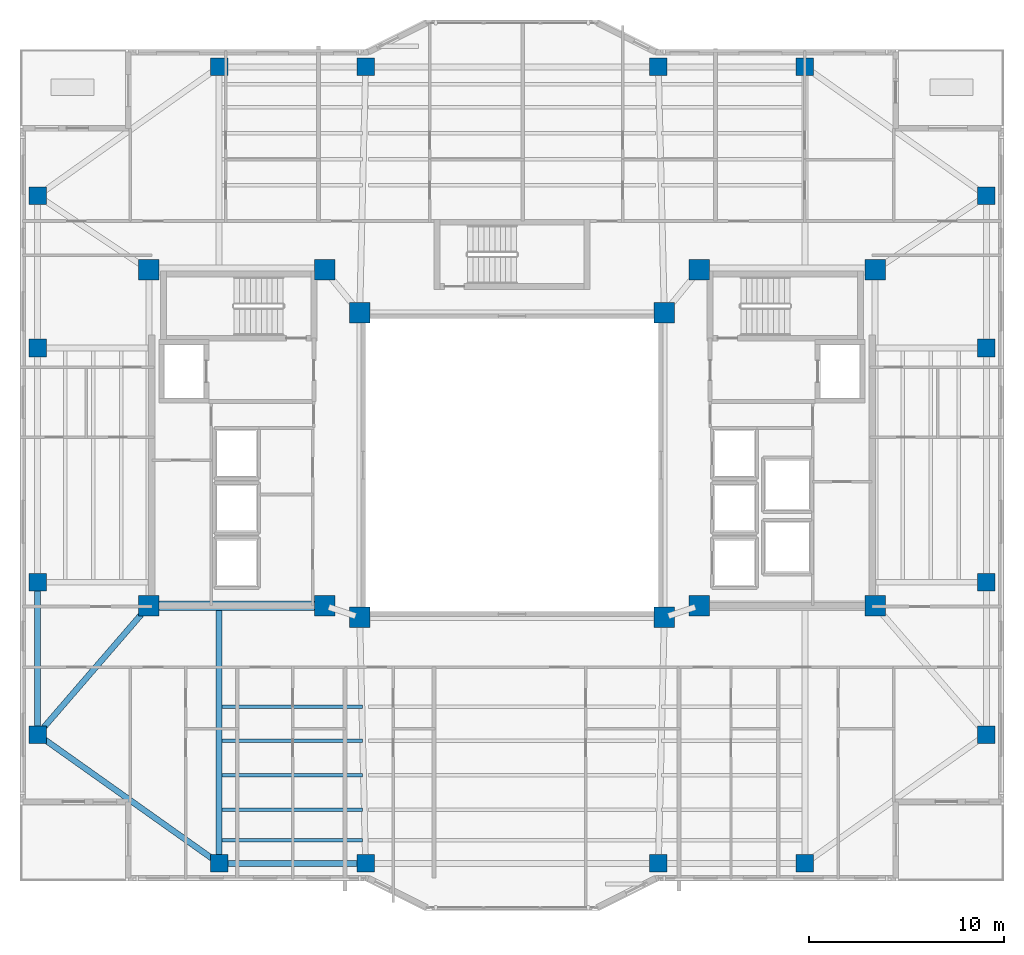
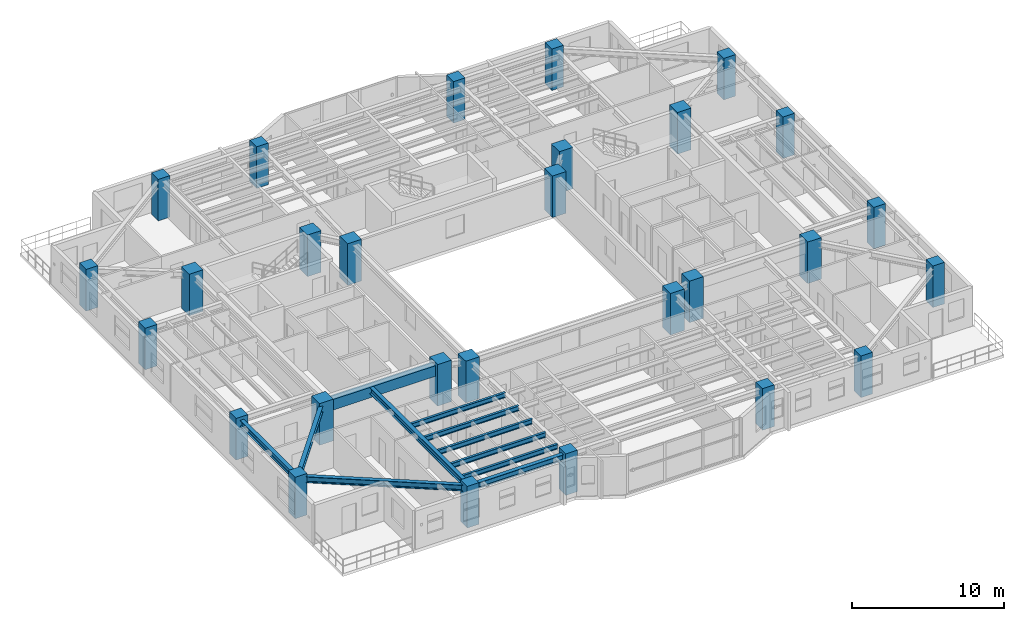
# One storey, part 1 of 17: 28 columns, 11 beams.
"""IFC4 building model written with IfcOpenShell, lengths in metres."""

import ifcopenshell
import ifcopenshell.guid

model = None  # the IFC model being written
_history = None  # IfcOwnerHistory: only IFC2X3 demands one
_inside = {}  # id of a spatial element -> (the spatial element, [elements in it])
_under = {}  # id of a project, library or spatial element -> (it, [spatial elements below it])
_declared = {}  # id of a project -> (the project, [libraries it declares])
_typed = {}  # id of a type object -> (the type object, [elements of that type])
_made_of = {}  # id of a material, layer set ... -> (it, [elements and type objects made of it])


def new_model(schema):
    """Start an empty IFC model of exactly this schema.

    Asked for "IFC4X3", IfcOpenShell would pick the latest addendum, in which some entities
    have other attributes; the version numbers below select the first issue.
    IFC2X3 requires an IfcOwnerHistory on every rooted entity: one is made here for all.
    """
    global model, _history
    if schema == "IFC4X3":
        model = ifcopenshell.file(schema_version=(4, 3, 0, 0))
    else:
        model = ifcopenshell.file(schema=schema)
    _inside.clear()
    _under.clear()
    _declared.clear()
    _typed.clear()
    _made_of.clear()
    _history = None
    if model.schema == "IFC2X3":
        org = make("IfcOrganization", Name="unknown")
        user = make(
            "IfcPersonAndOrganization",
            ThePerson=make("IfcPerson", FamilyName="unknown"),
            TheOrganization=org,
        )
        app = make(
            "IfcApplication",
            ApplicationDeveloper=org,
            Version="unknown",
            ApplicationFullName="unknown",
            ApplicationIdentifier="unknown",
        )
        _history = make(
            "IfcOwnerHistory",
            OwningUser=user,
            OwningApplication=app,
            ChangeAction="ADDED",
            CreationDate=0,
        )
    return model


def make(cls, **values):
    """One entity of the class cls with the attributes given. An attribute that is None is left unset."""
    return model.create_entity(
        cls, **{name: value for name, value in values.items() if value is not None}
    )


def rooted(cls, **values):
    """An entity with a GlobalId (a new one), such as an element, a storey or a relation."""
    return make(cls, GlobalId=ifcopenshell.guid.new(), OwnerHistory=_history, **values)


def si_unit(unit_type, name, prefix=None):
    """IfcSIUnit, for example si_unit("LENGTHUNIT", "METRE", prefix="MILLI")."""
    return make("IfcSIUnit", UnitType=unit_type, Prefix=prefix, Name=name)


def assignment(units):
    """IfcUnitAssignment: the units of a project."""
    return None if units is None else make("IfcUnitAssignment", Units=units)


def point(xyz):
    """IfcCartesianPoint."""
    return None if xyz is None else make("IfcCartesianPoint", Coordinates=xyz)


def direction(xyz):
    """IfcDirection."""
    return None if xyz is None else make("IfcDirection", DirectionRatios=xyz)


def frame(location, z_axis=None, x_axis=None):
    """IfcAxis2Placement3D, a coordinate frame: its origin and axes. An axis left out is left unset."""
    return make(
        "IfcAxis2Placement3D",
        Location=point(location),
        Axis=direction(z_axis),
        RefDirection=direction(x_axis),
    )


def frame_2d(location, x_axis=None):
    """IfcAxis2Placement2D, a coordinate frame in the plane: its origin and x axis."""
    return make(
        "IfcAxis2Placement2D", Location=point(location), RefDirection=direction(x_axis)
    )


def origin():
    """The frame at (0, 0, 0) with its axes left unset."""
    return frame((0.0, 0.0, 0.0))


def origin_2d():
    """The frame at (0, 0) in the plane with its x axis left unset."""
    return frame_2d((0.0, 0.0))


def place(relative_to, where):
    """IfcLocalPlacement: puts the frame where relative to a parent placement (None: the world)."""
    return make(
        "IfcLocalPlacement", PlacementRelTo=relative_to, RelativePlacement=where
    )


def context(
    kind, dimensions, precision=None, world=None, true_north=None, identifier=None
):
    """IfcGeometricRepresentationContext, for example the 3D "Model" context."""
    return make(
        "IfcGeometricRepresentationContext",
        ContextIdentifier=identifier,
        ContextType=kind,
        CoordinateSpaceDimension=dimensions,
        Precision=precision,
        WorldCoordinateSystem=world,
        TrueNorth=true_north,
    )


def subcontext(parent, identifier, kind, view, scale=None):
    """IfcGeometricRepresentationSubContext, for example "Body" below "Model"."""
    return make(
        "IfcGeometricRepresentationSubContext",
        ContextIdentifier=identifier,
        ContextType=kind,
        ParentContext=parent,
        TargetScale=scale,
        TargetView=view,
    )


def project(units=None, contexts=None):
    """IfcProject with its units and contexts."""
    return rooted(
        "IfcProject",
        Name="project",
        RepresentationContexts=contexts,
        UnitsInContext=assignment(units),
    )


def spatial(cls, under=None, at=None, **own):
    """A site, building, storey or space (cls), placed at a placement, below another one or the project."""
    s = rooted(cls, ObjectPlacement=at, **own)
    if under is not None:
        _under.setdefault(under.id(), (under, []))[1].append(s)
    return s


def profile(cls, at=None, kind="AREA", **sizes):
    """A parametric profile (cls). Its sizes go by their IFC names, for example OverallWidth=200.0."""
    return make(cls, ProfileType=kind, Position=at, **sizes)


def rectangle(**sizes):
    """IfcRectangleProfileDef."""
    return profile("IfcRectangleProfileDef", **sizes)


def i_section(**sizes):
    """IfcIShapeProfileDef."""
    return profile("IfcIShapeProfileDef", **sizes)


def extrude(swept, where, along, depth):
    """IfcExtrudedAreaSolid: the profile swept, set in the frame where, extruded along a direction by depth."""
    return make(
        "IfcExtrudedAreaSolid",
        SweptArea=swept,
        Position=where,
        ExtrudedDirection=direction(along),
        Depth=depth,
    )


def shape(context_of_items, identifier, shape_type, items):
    """IfcShapeRepresentation: the items that make up one representation, for example the "Body"."""
    return make(
        "IfcShapeRepresentation",
        ContextOfItems=context_of_items,
        RepresentationIdentifier=identifier,
        RepresentationType=shape_type,
        Items=items,
    )


def material(Name=None, Category=None):
    """IfcMaterial."""
    return make("IfcMaterial", Name=Name, Category=Category)


def material_profile(
    of_material, cross_section, Name=None, Category=None, Priority=None
):
    """IfcMaterialProfile: a cross section and its material."""
    return make(
        "IfcMaterialProfile",
        Name=Name,
        Material=of_material,
        Profile=cross_section,
        Priority=Priority,
        Category=Category,
    )


def profile_set(profiles, Name=None, composite=None):
    """IfcMaterialProfileSet."""
    return make(
        "IfcMaterialProfileSet",
        Name=Name,
        MaterialProfiles=profiles,
        CompositeProfile=composite,
    )


def made_of(thing, what):
    """Note that an element or type object is made of a material, layer set ...; save() writes the relation."""
    if what is not None:
        _made_of.setdefault(what.id(), (what, []))[1].append(thing)
    return thing


def type_object(cls, material=None, **own):
    """A type object (cls), such as IfcWallType, which elements share."""
    return made_of(rooted(cls, **own), material)


def element(
    cls,
    number,
    at=None,
    inside=None,
    cuts=None,
    type_object=None,
    material=None,
    context=None,
    identifier="Body",
    shape_type=None,
    held_by="IfcProductDefinitionShape",
    body=None,
    shapes=None,
    **own,
):
    """One element of the class cls, such as IfcWall. Its Tag is "e" and its number.

    at: its placement. inside: the storey or other place that contains it. cuts: it is an
    opening in that element (IfcRelVoidsElement). A single representation is given by context,
    identifier, shape_type and body (its items); several are given by shapes. held_by: the class
    of the entity that holds the representations. save() writes the other relations.
    """
    e = rooted(cls, Tag="e%d" % number, ObjectPlacement=at, **own)
    if body is not None:
        shapes = [shape(context, identifier, shape_type, body)]
    if shapes is not None:
        e.Representation = make(held_by, Representations=shapes)
    if inside is not None:
        _inside.setdefault(inside.id(), (inside, []))[1].append(e)
    if cuts is not None:
        rooted(
            "IfcRelVoidsElement", RelatingBuildingElement=cuts, RelatedOpeningElement=e
        )
    if type_object is not None:
        _typed.setdefault(type_object.id(), (type_object, []))[1].append(e)
    return made_of(e, material)


def aggregate(whole, parts):
    """IfcRelAggregates: a whole, such as a stair, and the parts it consists of."""
    return rooted("IfcRelAggregates", RelatingObject=whole, RelatedObjects=parts)


def save(model, path):
    """Write the relations noted so far, then the file.

    IfcRelAggregates (storeys below a building ...), IfcRelContainedInSpatialStructure (elements
    in a storey), IfcRelDefinesByType, IfcRelAssociatesMaterial and IfcRelDeclares: one each for
    every whole, place, type object, material and project.
    """
    for whole, parts in _under.values():
        aggregate(whole, parts)
    for where, things in _inside.values():
        rooted(
            "IfcRelContainedInSpatialStructure",
            RelatedElements=things,
            RelatingStructure=where,
        )
    for kind, things in _typed.values():
        rooted("IfcRelDefinesByType", RelatedObjects=things, RelatingType=kind)
    for what, things in _made_of.values():
        rooted("IfcRelAssociatesMaterial", RelatedObjects=things, RelatingMaterial=what)
    for by, libraries in _declared.values():
        rooted("IfcRelDeclares", RelatingContext=by, RelatedDefinitions=libraries)
    model.write(path)


model = new_model("IFC4")

# Units and contexts
model_context = context("Model", 3, precision=1e-05, world=origin(), true_north=direction((0.0, 1.0)))
body_context = subcontext(model_context, "Body", "Model", "MODEL_VIEW")
ifc_project = project(units=[si_unit("LENGTHUNIT", "METRE"), si_unit("AREAUNIT", "SQUARE_METRE"), si_unit("VOLUMEUNIT", "CUBIC_METRE"), si_unit("PLANEANGLEUNIT", "RADIAN"), si_unit("MASSUNIT", "GRAM", prefix="KILO")], contexts=[model_context])

# Site, building, storey
site_placement = place(None, origin())
site = spatial("IfcSite", under=ifc_project, at=site_placement, CompositionType="ELEMENT")
building_placement = place(site_placement, origin())
building = spatial("IfcBuilding", under=site, at=building_placement, Name="Tarnavaz Court Tower", CompositionType="ELEMENT")
storey_placement = place(building_placement, frame((0.0, 0.0, 132.60009765625)))
storey = spatial("IfcBuildingStorey", under=building, at=storey_placement, Name="L35", CompositionType="ELEMENT", Elevation=132.60009765625)

# Columns
ifc_material_1 = material(Name="Concrete C60/75", Category="concrete")
ifc_material_profile_1 = material_profile(ifc_material_1, rectangle(XDim=1.050048828125, YDim=1.050048828125, at=origin_2d()), Name="RC 1050X1050")
ifc_profile_set_1 = profile_set([ifc_material_profile_1], Name="Concrete C60/75")
column_type_1 = type_object("IfcColumnType", Name="CL-RC1050", PredefinedType="COLUMN", material=ifc_profile_set_1)
for number, where, z_axis, x_axis, name in (
    (1, (-7.800048828125, -7.800048828125, 0.0), (0.0, 0.0, 1.0), (1.0, 0.0, 0.0), "L35 Column IW-SW"),
    (2, (7.800048828125, -7.800048828125, 0.0), (0.0, 0.0, 1.0), (1.0, 0.0, 0.0), "L35 Column IW-SE"),
    (3, (-7.800048828125, 7.800048828125, 0.0), (0.0, 0.0, 1.0), (1.0, 0.0, 0.0), "L35 Column IW-NW"),
    (4, (7.800048828125, 7.800048828125, 0.0), (0.0, 0.0, 1.0), (1.0, 0.0, 0.0), "L35 Column IW-NE"),
    (5, (-9.60009765625, -7.199951171875, 0.0), (0.0, 0.0, 1.0), (1.0, 0.0, 0.0), "L35 Column CW-SI"),
    (6, (-9.60009765625, 10.0, 0.0), (0.0, 0.0, 1.0), (1.0, 0.0, 0.0), "L35 Column CW-NI"),
    (7, (9.60009765625, -7.199951171875, 0.0), (0.0, 0.0, 1.0), (1.0, 0.0, 0.0), "L35 Column CE-SI"),
    (8, (9.60009765625, 10.0, 0.0), (0.0, 0.0, 1.0), (1.0, 0.0, 0.0), "L35 Column CE-NI"),
    (9, (-18.60009765625, -7.199951171875, 0.0), (0.0, 0.0, 1.0), (1.0, 0.0, 0.0), "L35 Column CW-SO"),
    (10, (-18.60009765625, 10.0, 0.0), (0.0, 0.0, 1.0), (1.0, 0.0, 0.0), "L35 Column CW-NO"),
    (11, (18.60009765625, -7.199951171875, 0.0), (0.0, 0.0, 1.0), (1.0, 0.0, 0.0), "L35 Column CE-SO"),
    (12, (18.60009765625, 10.0, 0.0), (0.0, 0.0, 1.0), (1.0, 0.0, 0.0), "L35 Column CE-NO"),
):
    element("IfcColumn", number, at=place(storey_placement, frame(where, z_axis=z_axis, x_axis=x_axis)), inside=storey, type_object=column_type_1, Name=name, PredefinedType="COLUMN", context=body_context, shape_type="SweptSolid", body=[
        extrude(rectangle(XDim=1.050048828125, YDim=1.050048828125, at=origin_2d()), origin(), (0.0, 0.0, 1.0), 3.349853515625),
    ])
ifc_material_2 = material(Name="Concrete C50/60", Category="concrete")
ifc_material_profile_2 = material_profile(ifc_material_2, rectangle(XDim=0.89990234375, YDim=0.89990234375, at=origin_2d()), Name="RC 900X900")
ifc_profile_set_2 = profile_set([ifc_material_profile_2], Name="Concrete C50/60")
column_type_2 = type_object("IfcColumnType", Name="CL-RC900", PredefinedType="COLUMN", material=ifc_profile_set_2)
for number, where, z_axis, x_axis, name in (
    (13, (-15.0, 20.39990234375, 0.0), (0.0, 0.0, 1.0), (1.0, 0.0, 0.0), "L35 Column PN-1"),
    (14, (-7.5, 20.39990234375, 0.0), (0.0, 0.0, 1.0), (1.0, 0.0, 0.0), "L35 Column PN-2"),
    (15, (7.5, 20.39990234375, 0.0), (0.0, 0.0, 1.0), (1.0, 0.0, 0.0), "L35 Column PN-3"),
    (16, (15.0, 20.39990234375, 0.0), (0.0, 0.0, 1.0), (1.0, 0.0, 0.0), "L35 Column PN-4"),
    (17, (-15.0, -20.39990234375, 0.0), (0.0, 0.0, 1.0), (1.0, 0.0, 0.0), "L35 Column PS-1"),
    (18, (-7.5, -20.39990234375, 0.0), (0.0, 0.0, 1.0), (1.0, 0.0, 0.0), "L35 Column PS-2"),
    (19, (7.5, -20.39990234375, 0.0), (0.0, 0.0, 1.0), (1.0, 0.0, 0.0), "L35 Column PS-3"),
    (20, (15.0, -20.39990234375, 0.0), (0.0, 0.0, 1.0), (1.0, 0.0, 0.0), "L35 Column PS-4"),
    (21, (24.300048828125, -13.800048828125, 0.0), (0.0, 0.0, 1.0), (1.0, 0.0, 0.0), "L35 Column PE-1"),
    (22, (24.300048828125, -6.0, 0.0), (0.0, 0.0, 1.0), (1.0, 0.0, 0.0), "L35 Column PE-2"),
    (23, (24.300048828125, 6.0, 0.0), (0.0, 0.0, 1.0), (1.0, 0.0, 0.0), "L35 Column PE-3"),
    (24, (24.300048828125, 13.800048828125, 0.0), (0.0, 0.0, 1.0), (1.0, 0.0, 0.0), "L35 Column PE-4"),
    (25, (-24.300048828125, -13.800048828125, 0.0), (0.0, 0.0, 1.0), (1.0, 0.0, 0.0), "L35 Column PW-1"),
    (26, (-24.300048828125, -6.0, 0.0), (0.0, 0.0, 1.0), (1.0, 0.0, 0.0), "L35 Column PW-2"),
    (27, (-24.300048828125, 6.0, 0.0), (0.0, 0.0, 1.0), (1.0, 0.0, 0.0), "L35 Column PW-3"),
    (28, (-24.300048828125, 13.800048828125, 0.0), (0.0, 0.0, 1.0), (1.0, 0.0, 0.0), "L35 Column PW-4"),
):
    element("IfcColumn", number, at=place(storey_placement, frame(where, z_axis=z_axis, x_axis=x_axis)), inside=storey, type_object=column_type_2, Name=name, PredefinedType="COLUMN", context=body_context, shape_type="SweptSolid", body=[
        extrude(rectangle(XDim=0.89990234375, YDim=0.89990234375, at=origin_2d()), origin(), (0.0, 0.0, 1.0), 3.349853515625),
    ])

# Beams
ifc_material_profile_3 = material_profile(ifc_material_2, rectangle(XDim=0.5, YDim=0.85009765625, at=origin_2d()), Name="RC 500X850")
ifc_profile_set_3 = profile_set([ifc_material_profile_3], Name="Concrete C50/60")
beam_type_1 = type_object("IfcBeamType", Name="BM-CB850", PredefinedType="LINTEL", material=ifc_profile_set_3)
beam_1_placement = place(storey_placement, frame((-18.3798828125, -7.199951171875, 2.6748046875), z_axis=(1.0, 0.0, 0.0), x_axis=(0.0, 1.0, 0.0)))
element("IfcBeam", 29, at=beam_1_placement, inside=storey, type_object=beam_type_1, Name="L35 Beam IN-CW-SO-CW-SI", PredefinedType="LINTEL", context=body_context, shape_type="SweptSolid", body=[
    extrude(rectangle(XDim=0.5, YDim=0.85009765625, at=origin_2d()), origin(), (0.0, 0.0, 1.0), 8.559814453125),
])
ifc_material_3 = material(Name="Steel S355", Category="steel")
ifc_material_profile_4 = material_profile(ifc_material_3, i_section(OverallWidth=0.300048828125, OverallDepth=0.5, WebThickness=0.014404296875, FlangeThickness=0.028076171875, FilletRadius=0.027099609375, at=origin_2d()), Name="HEB 500")
ifc_profile_set_4 = profile_set([ifc_material_profile_4], Name="Steel S355")
beam_type_2 = type_object("IfcBeamType", Name="BM-G-HEB500", PredefinedType="USERDEFINED", material=ifc_profile_set_4)
beam_2_placement = place(storey_placement, frame((-15.0, -7.239990234375, 2.849853515625), z_axis=(0.0, -1.0, 0.0), x_axis=(1.0, 0.0, 0.0)))
element("IfcBeam", 30, at=beam_2_placement, inside=storey, type_object=beam_type_2, Name="L35 Beam RG-05", ObjectType="GIRDER", PredefinedType="USERDEFINED", context=body_context, shape_type="SweptSolid", body=[
    extrude(i_section(OverallWidth=0.300048828125, OverallDepth=0.5, WebThickness=0.014404296875, FlangeThickness=0.028076171875, FilletRadius=0.027099609375, at=origin_2d()), origin(), (0.0, 0.0, 1.0), 12.93994140625),
])
beam_3_placement = place(storey_placement, frame((-18.743896484375, -7.366455078125, 2.849853515625), z_axis=(-0.653610659012, -0.756830962914, 0.0), x_axis=(0.756830962914, -0.653610659012, 0.0)))
element("IfcBeam", 31, at=beam_3_placement, inside=storey, type_object=beam_type_2, Name="L35 Beam RG-15", ObjectType="GIRDER", PredefinedType="USERDEFINED", context=body_context, shape_type="SweptSolid", body=[
    extrude(i_section(OverallWidth=0.300048828125, OverallDepth=0.5, WebThickness=0.014404296875, FlangeThickness=0.028076171875, FilletRadius=0.027099609375, at=origin_2d()), origin(), (0.0, 0.0, 1.0), 8.28076171875),
])
ifc_material_profile_5 = material_profile(ifc_material_3, i_section(OverallWidth=0.179931640625, OverallDepth=0.39990234375, WebThickness=0.008544921875, FlangeThickness=0.013427734375, FilletRadius=0.02099609375, at=origin_2d()), Name="IPE 400")
ifc_profile_set_5 = profile_set([ifc_material_profile_5], Name="Steel S355")
beam_type_3 = type_object("IfcBeamType", Name="BM-J-IPE400", PredefinedType="JOIST", material=ifc_profile_set_5)
for number, where, z_axis, x_axis, name in (
    (32, (-14.85009765625, -12.364013671875, 2.89990234375), (1.0, 0.0, 0.0), (0.0, 1.0, 0.0), "L35 Beam JS1-1"),
    (33, (-14.85009765625, -14.1279296875, 2.89990234375), (1.0, 0.0, 0.0), (0.0, 1.0, 0.0), "L35 Beam JS2-1"),
    (34, (-14.85009765625, -15.89208984375, 2.89990234375), (1.0, 0.0, 0.0), (0.0, 1.0, 0.0), "L35 Beam JS3-1"),
    (35, (-14.85009765625, -17.656005859375, 2.89990234375), (1.0, 0.0, 0.0), (0.0, 1.0, 0.0), "L35 Beam JS4-1"),
    (36, (-14.85009765625, -19.22412109375, 2.89990234375), (1.0, 0.0, 0.0), (0.0, 1.0, 0.0), "L35 Beam JS5-1"),
):
    element("IfcBeam", number, at=place(storey_placement, frame(where, z_axis=z_axis, x_axis=x_axis)), inside=storey, type_object=beam_type_3, Name=name, PredefinedType="JOIST", context=body_context, shape_type="SweptSolid", body=[
        extrude(i_section(OverallWidth=0.179931640625, OverallDepth=0.39990234375, WebThickness=0.008544921875, FlangeThickness=0.013427734375, FilletRadius=0.02099609375, at=origin_2d()), origin(), (0.0, 0.0, 1.0), 7.2001953125),
    ])
ifc_material_profile_6 = material_profile(ifc_material_3, i_section(OverallWidth=0.300048828125, OverallDepth=0.489990234375, WebThickness=0.011962890625, FlangeThickness=0.02294921875, FilletRadius=0.027099609375, at=origin_2d()), Name="HEA 500")
ifc_profile_set_6 = profile_set([ifc_material_profile_6], Name="Steel S355")
beam_type_4 = type_object("IfcBeamType", Name="BM-SP-HEA500", PredefinedType="SPANDREL", material=ifc_profile_set_6)
beam_4_placement = place(storey_placement, frame((-14.780029296875, -20.39990234375, 2.85498046875), z_axis=(1.0, 0.0, 0.0), x_axis=(0.0, 1.0, 0.0)))
element("IfcBeam", 37, at=beam_4_placement, inside=storey, type_object=beam_type_4, Name="L35 Beam PR-PS-1-PS-2", PredefinedType="SPANDREL", context=body_context, shape_type="SweptSolid", body=[
    extrude(i_section(OverallWidth=0.300048828125, OverallDepth=0.489990234375, WebThickness=0.011962890625, FlangeThickness=0.02294921875, FilletRadius=0.027099609375, at=origin_2d()), origin(), (0.0, 0.0, 1.0), 7.06005859375),
])
beam_5_placement = place(storey_placement, frame((-24.300048828125, -13.580078125, 2.85498046875), z_axis=(0.0, 1.0, 0.0), x_axis=(-1.0, 0.0, 0.0)))
element("IfcBeam", 38, at=beam_5_placement, inside=storey, type_object=beam_type_4, Name="L35 Beam PR-PW-1-PW-2", PredefinedType="SPANDREL", context=body_context, shape_type="SweptSolid", body=[
    extrude(i_section(OverallWidth=0.300048828125, OverallDepth=0.489990234375, WebThickness=0.011962890625, FlangeThickness=0.02294921875, FilletRadius=0.027099609375, at=origin_2d()), origin(), (0.0, 0.0, 1.0), 7.360107421875),
])
beam_6_placement = place(storey_placement, frame((-15.179443359375, -20.272705078125, 2.85498046875), z_axis=(-0.815502059396, 0.57875417158, 0.0), x_axis=(-0.57875417158, -0.815502059396, 0.0)))
element("IfcBeam", 39, at=beam_6_placement, inside=storey, type_object=beam_type_4, Name="L35 Beam PR-PS-1-PW-1", PredefinedType="SPANDREL", context=body_context, shape_type="SweptSolid", body=[
    extrude(i_section(OverallWidth=0.300048828125, OverallDepth=0.489990234375, WebThickness=0.011962890625, FlangeThickness=0.02294921875, FilletRadius=0.027099609375, at=origin_2d()), origin(), (0.0, 0.0, 1.0), 10.964111328125),
])

save(model, "model.ifc")
